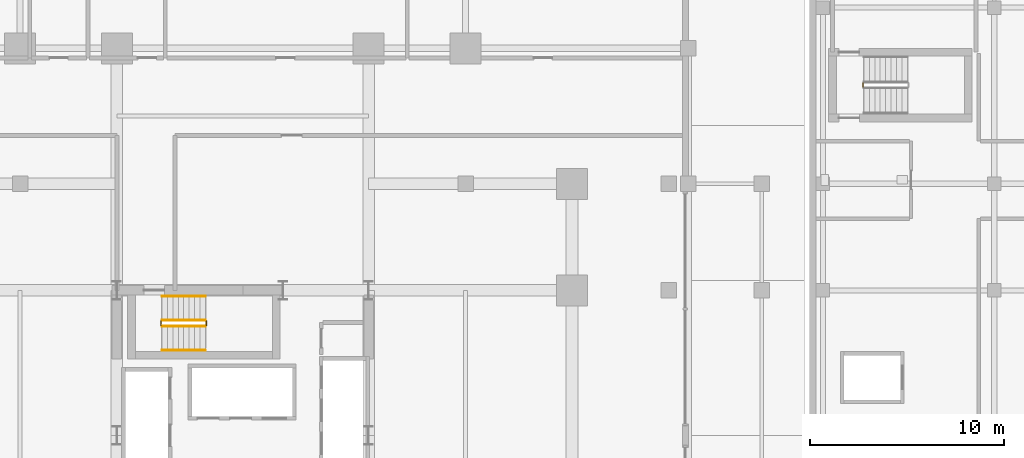
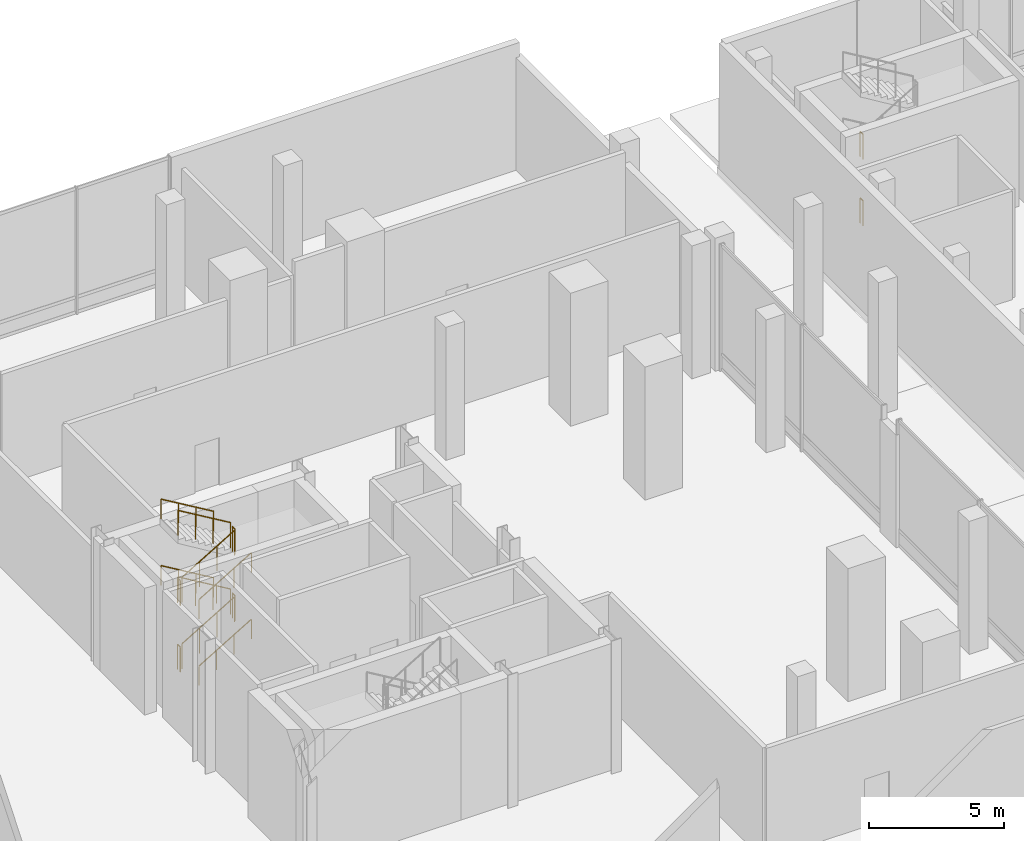
# One storey, part 32 of 34: 14 railings.
"""IFC4 building model written with IfcOpenShell, lengths in metres."""

from ifc_helpers import new_model, si_unit, direction, frame, origin, origin_2d, place, context, subcontext, project, spatial, circle, extrude, material, type_object, element, save


model = new_model("IFC4")

# Units and contexts
model_context = context("Model", 3, precision=1e-05, world=origin(), true_north=direction((0.0, 1.0)))
body_context = subcontext(model_context, "Body", "Model", "MODEL_VIEW")
ifc_project = project(units=[si_unit("LENGTHUNIT", "METRE"), si_unit("AREAUNIT", "SQUARE_METRE"), si_unit("VOLUMEUNIT", "CUBIC_METRE"), si_unit("PLANEANGLEUNIT", "RADIAN"), si_unit("MASSUNIT", "GRAM", prefix="KILO")], contexts=[model_context])

# Site, building, storey
site_placement = place(None, origin())
site = spatial("IfcSite", under=ifc_project, at=site_placement, CompositionType="ELEMENT")
building_placement = place(site_placement, origin())
building = spatial("IfcBuilding", under=site, at=building_placement, Name="Barlavira Tower and Art Museum", CompositionType="ELEMENT")
storey_placement = place(building_placement, origin())
storey = spatial("IfcBuildingStorey", under=building, at=storey_placement, Name="L00", CompositionType="ELEMENT", Elevation=0.0)

# Railings
ifc_material = material(Name="Brushed stainless steel", Category="steel")
railing_type_1 = type_object("IfcRailingType", Name="Interior Void and Landing Guard Railing 1150", PredefinedType="GUARDRAIL", material=ifc_material)
railing_1_placement = place(storey_placement, frame((-4.169921875, 5.64990234375, 0.166748046875)))
element("IfcRailing", 1, at=railing_1_placement, inside=storey, type_object=railing_type_1, Name="L00 ST-T2 stair guard 1", PredefinedType="GUARDRAIL", context=body_context, shape_type="SweptSolid", body=[
    extrude(circle(Radius=0.02392578125, at=origin_2d()), frame((0.0, 0.0, 1.1259765625), z_axis=(0.859305625298, 0.0, 0.511462454469), x_axis=(0.0, 1.0, 0.0)), (0.0, 0.0, 1.0), 2.606689453125),
    extrude(circle(Radius=0.02099609375, at=origin_2d()), origin(), (0.0, 0.0, 1.0), 1.101806640625),
    extrude(circle(Radius=0.02099609375, at=origin_2d()), frame((0.74658203125, 0.0, 0.4443359375)), (0.0, 0.0, 1.0), 1.101806640625),
    extrude(circle(Radius=0.02099609375, at=origin_2d()), frame((1.493408203125, 0.0, 0.888916015625)), (0.0, 0.0, 1.0), 1.101806640625),
    extrude(circle(Radius=0.02099609375, at=origin_2d()), frame((2.239990234375, 0.0, 1.333251953125)), (0.0, 0.0, 1.0), 1.101806640625),
])
railing_2_placement = place(storey_placement, frame((-1.8798828125, 5.699951171875, 1.5)))
element("IfcRailing", 2, at=railing_2_placement, inside=storey, type_object=railing_type_1, Name="L00 ST-T2 stair guard 2", PredefinedType="GUARDRAIL", context=body_context, shape_type="SweptSolid", body=[
    extrude(circle(Radius=0.02392578125, at=origin_2d()), frame((0.0, 0.0, 1.1259765625), z_axis=(0.0, 1.0, 0.0), x_axis=(-1.0, 0.0, 0.0)), (0.0, 0.0, 1.0), 0.199951171875),
    extrude(circle(Radius=0.02099609375, at=origin_2d()), origin(), (0.0, 0.0, 1.0), 1.101806640625),
    extrude(circle(Radius=0.02099609375, at=origin_2d()), frame((0.0, 0.199951171875, 0.0)), (0.0, 0.0, 1.0), 1.101806640625),
])
railing_3_placement = place(storey_placement, frame((-1.929931640625, 5.949951171875, 1.666748046875)))
element("IfcRailing", 3, at=railing_3_placement, inside=storey, type_object=railing_type_1, Name="L00 ST-T2 stair guard 3", PredefinedType="GUARDRAIL", context=body_context, shape_type="SweptSolid", body=[
    extrude(circle(Radius=0.02392578125, at=origin_2d()), frame((0.0, 0.0, 1.1259765625), z_axis=(-0.859305625298, 0.0, 0.511462454469), x_axis=(0.0, -1.0, 0.0)), (0.0, 0.0, 1.0), 2.606689453125),
    extrude(circle(Radius=0.02099609375, at=origin_2d()), origin(), (0.0, 0.0, 1.0), 1.101806640625),
    extrude(circle(Radius=0.02099609375, at=origin_2d()), frame((-0.74658203125, 0.0, 0.4443359375)), (0.0, 0.0, 1.0), 1.101806640625),
    extrude(circle(Radius=0.02099609375, at=origin_2d()), frame((-1.493408203125, 0.0, 0.888916015625)), (0.0, 0.0, 1.0), 1.101806640625),
    extrude(circle(Radius=0.02099609375, at=origin_2d()), frame((-2.239990234375, 0.0, 1.333251953125)), (0.0, 0.0, 1.0), 1.101806640625),
])
railing_4_placement = place(storey_placement, frame((-4.219970703125, 5.699951171875, 3.0)))
element("IfcRailing", 4, at=railing_4_placement, inside=storey, type_object=railing_type_1, Name="L00 ST-T2 stair guard 4", PredefinedType="GUARDRAIL", context=body_context, shape_type="SweptSolid", body=[
    extrude(circle(Radius=0.02392578125, at=origin_2d()), frame((0.0, 0.0, 1.1259765625), z_axis=(0.0, 1.0, 0.0), x_axis=(-1.0, 0.0, 0.0)), (0.0, 0.0, 1.0), 0.199951171875),
    extrude(circle(Radius=0.02099609375, at=origin_2d()), origin(), (0.0, 0.0, 1.0), 1.101806640625),
    extrude(circle(Radius=0.02099609375, at=origin_2d()), frame((0.0, 0.199951171875, 0.0)), (0.0, 0.0, 1.0), 1.101806640625),
])
railing_5_placement = place(storey_placement, frame((-4.169921875, 5.64990234375, 3.166748046875)))
element("IfcRailing", 5, at=railing_5_placement, inside=storey, type_object=railing_type_1, Name="L00 ST-T2 stair guard 5", PredefinedType="GUARDRAIL", context=body_context, shape_type="SweptSolid", body=[
    extrude(circle(Radius=0.02392578125, at=origin_2d()), frame((0.0, 0.0, 1.1259765625), z_axis=(0.859305625298, 0.0, 0.511462454469), x_axis=(0.0, 1.0, 0.0)), (0.0, 0.0, 1.0), 2.606689453125),
    extrude(circle(Radius=0.02099609375, at=origin_2d()), origin(), (0.0, 0.0, 1.0), 1.101806640625),
    extrude(circle(Radius=0.02099609375, at=origin_2d()), frame((0.74658203125, 0.0, 0.4443359375)), (0.0, 0.0, 1.0), 1.101806640625),
    extrude(circle(Radius=0.02099609375, at=origin_2d()), frame((1.493408203125, 0.0, 0.888916015625)), (0.0, 0.0, 1.0), 1.101806640625),
    extrude(circle(Radius=0.02099609375, at=origin_2d()), frame((2.239990234375, 0.0, 1.333251953125)), (0.0, 0.0, 1.0), 1.101806640625),
])
railing_6_placement = place(storey_placement, frame((-1.8798828125, 5.699951171875, 4.5)))
element("IfcRailing", 6, at=railing_6_placement, inside=storey, type_object=railing_type_1, Name="L00 ST-T2 stair guard 6", PredefinedType="GUARDRAIL", context=body_context, shape_type="SweptSolid", body=[
    extrude(circle(Radius=0.02392578125, at=origin_2d()), frame((0.0, 0.0, 1.1259765625), z_axis=(0.0, 1.0, 0.0), x_axis=(-1.0, 0.0, 0.0)), (0.0, 0.0, 1.0), 0.199951171875),
    extrude(circle(Radius=0.02099609375, at=origin_2d()), origin(), (0.0, 0.0, 1.0), 1.101806640625),
    extrude(circle(Radius=0.02099609375, at=origin_2d()), frame((0.0, 0.199951171875, 0.0)), (0.0, 0.0, 1.0), 1.101806640625),
])
railing_7_placement = place(storey_placement, frame((-1.929931640625, 5.949951171875, 4.666748046875)))
element("IfcRailing", 7, at=railing_7_placement, inside=storey, type_object=railing_type_1, Name="L00 ST-T2 stair guard 7", PredefinedType="GUARDRAIL", context=body_context, shape_type="SweptSolid", body=[
    extrude(circle(Radius=0.02392578125, at=origin_2d()), frame((0.0, 0.0, 1.1259765625), z_axis=(-0.859305625298, 0.0, 0.511462454469), x_axis=(0.0, -1.0, 0.0)), (0.0, 0.0, 1.0), 2.606689453125),
    extrude(circle(Radius=0.02099609375, at=origin_2d()), origin(), (0.0, 0.0, 1.0), 1.101806640625),
    extrude(circle(Radius=0.02099609375, at=origin_2d()), frame((-0.74658203125, 0.0, 0.4443359375)), (0.0, 0.0, 1.0), 1.101806640625),
    extrude(circle(Radius=0.02099609375, at=origin_2d()), frame((-1.493408203125, 0.0, 0.888916015625)), (0.0, 0.0, 1.0), 1.101806640625),
    extrude(circle(Radius=0.02099609375, at=origin_2d()), frame((-2.239990234375, 0.0, 1.333251953125)), (0.0, 0.0, 1.0), 1.101806640625),
])
for number, where, name in (
    (8, (-4.219970703125, 5.699951171875, 0.0), "L00 ST-T2 stair guard 8"),
    (9, (32.02001953125, 18.0, 3.0), "L00 ST-M2 stair guard 4"),
    (10, (32.02001953125, 18.0, 0.0), "L00 ST-M2 stair guard 8"),
):
    element("IfcRailing", number, at=place(storey_placement, frame(where)), inside=storey, type_object=railing_type_1, Name=name, PredefinedType="GUARDRAIL", context=body_context, shape_type="SweptSolid", body=[
        extrude(circle(Radius=0.02392578125, at=origin_2d()), frame((0.0, 0.0, 1.1259765625), z_axis=(0.0, 1.0, 0.0), x_axis=(-1.0, 0.0, 0.0)), (0.0, 0.0, 1.0), 0.199951171875),
        extrude(circle(Radius=0.02099609375, at=origin_2d()), origin(), (0.0, 0.0, 1.0), 1.101806640625),
        extrude(circle(Radius=0.02099609375, at=origin_2d()), frame((0.0, 0.199951171875, 0.0)), (0.0, 0.0, 1.0), 1.101806640625),
    ])
railing_type_2 = type_object("IfcRailingType", Name="Stair Pitch Tubular Steel Handrail 920", PredefinedType="HANDRAIL", material=ifc_material)
railing_8_placement = place(storey_placement, frame((-4.169921875, 4.39990234375, 0.166748046875)))
element("IfcRailing", 11, at=railing_8_placement, inside=storey, type_object=railing_type_2, Name="L00 ST-T2 stair handrail 1", PredefinedType="HANDRAIL", context=body_context, shape_type="SweptSolid", body=[
    extrude(circle(Radius=0.02392578125, at=origin_2d()), frame((0.0, 0.0, 0.8759765625), z_axis=(0.859305625298, 0.0, 0.511462454469), x_axis=(0.0, 1.0, 0.0)), (0.0, 0.0, 1.0), 2.606689453125),
    extrude(circle(Radius=0.02099609375, at=origin_2d()), origin(), (0.0, 0.0, 1.0), 0.851806640625),
    extrude(circle(Radius=0.02099609375, at=origin_2d()), frame((0.74658203125, 0.0, 0.4443359375)), (0.0, 0.0, 1.0), 0.851806640625),
    extrude(circle(Radius=0.02099609375, at=origin_2d()), frame((1.493408203125, 0.0, 0.888916015625)), (0.0, 0.0, 1.0), 0.851806640625),
    extrude(circle(Radius=0.02099609375, at=origin_2d()), frame((2.239990234375, 0.0, 1.333251953125)), (0.0, 0.0, 1.0), 0.851806640625),
])
railing_9_placement = place(storey_placement, frame((-1.929931640625, 7.199951171875, 1.666748046875)))
element("IfcRailing", 12, at=railing_9_placement, inside=storey, type_object=railing_type_2, Name="L00 ST-T2 stair handrail 2", PredefinedType="HANDRAIL", context=body_context, shape_type="SweptSolid", body=[
    extrude(circle(Radius=0.02392578125, at=origin_2d()), frame((0.0, 0.0, 0.8759765625), z_axis=(-0.859305625298, 0.0, 0.511462454469), x_axis=(0.0, -1.0, 0.0)), (0.0, 0.0, 1.0), 2.606689453125),
    extrude(circle(Radius=0.02099609375, at=origin_2d()), origin(), (0.0, 0.0, 1.0), 0.851806640625),
    extrude(circle(Radius=0.02099609375, at=origin_2d()), frame((-0.74658203125, 0.0, 0.4443359375)), (0.0, 0.0, 1.0), 0.851806640625),
    extrude(circle(Radius=0.02099609375, at=origin_2d()), frame((-1.493408203125, 0.0, 0.888916015625)), (0.0, 0.0, 1.0), 0.851806640625),
    extrude(circle(Radius=0.02099609375, at=origin_2d()), frame((-2.239990234375, 0.0, 1.333251953125)), (0.0, 0.0, 1.0), 0.851806640625),
])
railing_10_placement = place(storey_placement, frame((-4.169921875, 4.39990234375, 3.166748046875)))
element("IfcRailing", 13, at=railing_10_placement, inside=storey, type_object=railing_type_2, Name="L00 ST-T2 stair handrail 3", PredefinedType="HANDRAIL", context=body_context, shape_type="SweptSolid", body=[
    extrude(circle(Radius=0.02392578125, at=origin_2d()), frame((0.0, 0.0, 0.8759765625), z_axis=(0.859305625298, 0.0, 0.511462454469), x_axis=(0.0, 1.0, 0.0)), (0.0, 0.0, 1.0), 2.606689453125),
    extrude(circle(Radius=0.02099609375, at=origin_2d()), origin(), (0.0, 0.0, 1.0), 0.851806640625),
    extrude(circle(Radius=0.02099609375, at=origin_2d()), frame((0.74658203125, 0.0, 0.4443359375)), (0.0, 0.0, 1.0), 0.851806640625),
    extrude(circle(Radius=0.02099609375, at=origin_2d()), frame((1.493408203125, 0.0, 0.888916015625)), (0.0, 0.0, 1.0), 0.851806640625),
    extrude(circle(Radius=0.02099609375, at=origin_2d()), frame((2.239990234375, 0.0, 1.333251953125)), (0.0, 0.0, 1.0), 0.851806640625),
])
railing_11_placement = place(storey_placement, frame((-1.929931640625, 7.199951171875, 4.666748046875)))
element("IfcRailing", 14, at=railing_11_placement, inside=storey, type_object=railing_type_2, Name="L00 ST-T2 stair handrail 4", PredefinedType="HANDRAIL", context=body_context, shape_type="SweptSolid", body=[
    extrude(circle(Radius=0.02392578125, at=origin_2d()), frame((0.0, 0.0, 0.8759765625), z_axis=(-0.859305625298, 0.0, 0.511462454469), x_axis=(0.0, -1.0, 0.0)), (0.0, 0.0, 1.0), 2.606689453125),
    extrude(circle(Radius=0.02099609375, at=origin_2d()), origin(), (0.0, 0.0, 1.0), 0.851806640625),
    extrude(circle(Radius=0.02099609375, at=origin_2d()), frame((-0.74658203125, 0.0, 0.4443359375)), (0.0, 0.0, 1.0), 0.851806640625),
    extrude(circle(Radius=0.02099609375, at=origin_2d()), frame((-1.493408203125, 0.0, 0.888916015625)), (0.0, 0.0, 1.0), 0.851806640625),
    extrude(circle(Radius=0.02099609375, at=origin_2d()), frame((-2.239990234375, 0.0, 1.333251953125)), (0.0, 0.0, 1.0), 0.851806640625),
])

save(model, "model.ifc")
